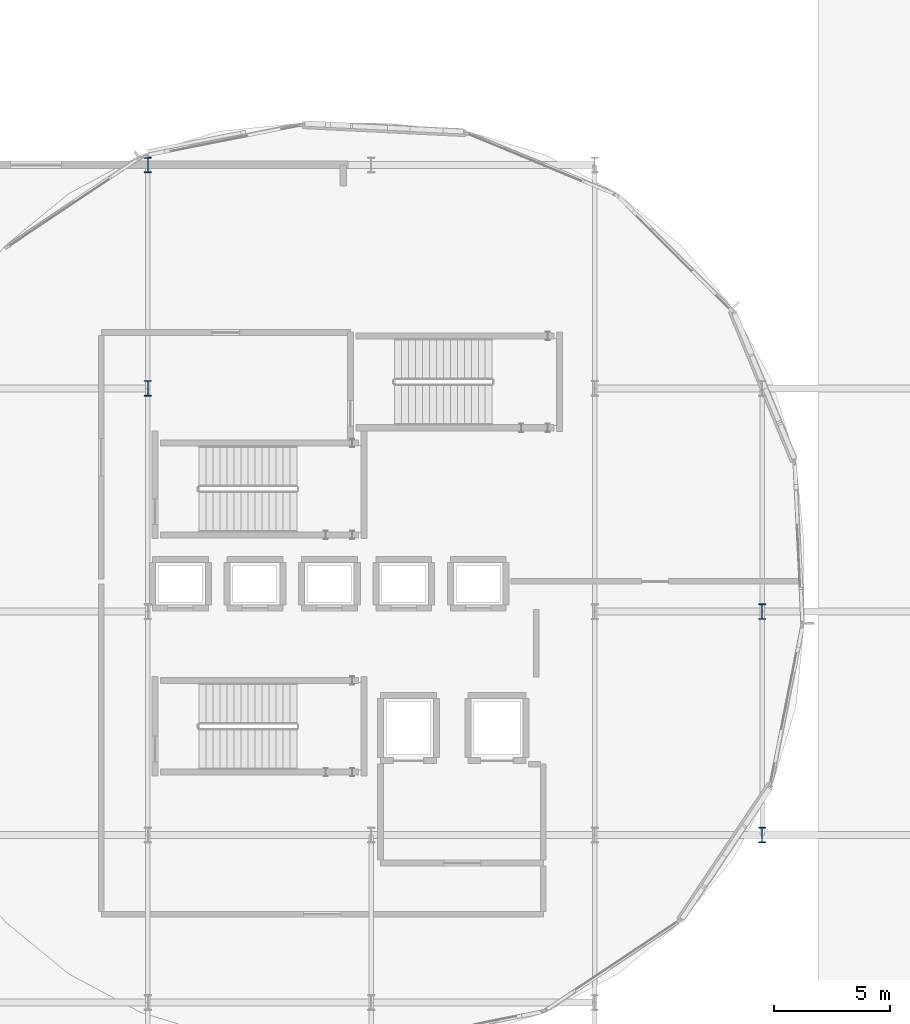
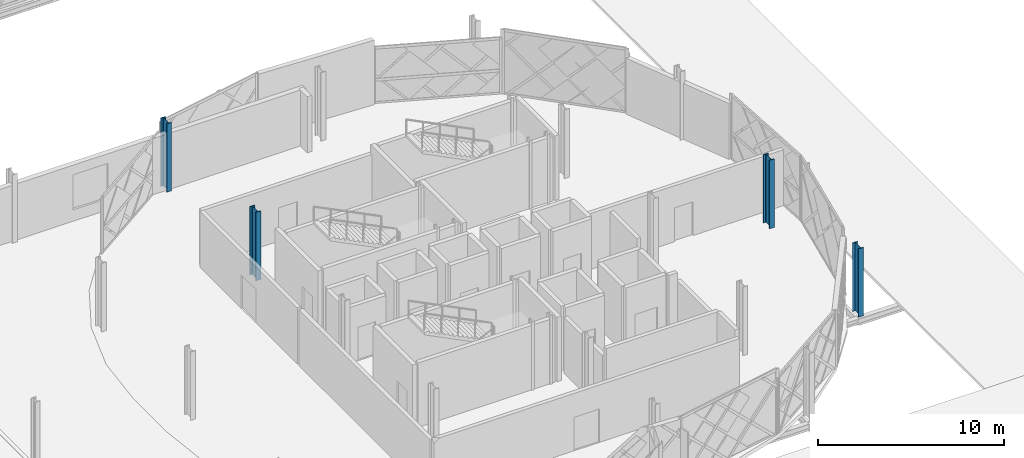
# One storey, part 18 of 101: 4 columns.
"""IFC4 building model written with IfcOpenShell, lengths in metres."""

import ifcopenshell
import ifcopenshell.guid

model = None  # the IFC model being written
_history = None  # IfcOwnerHistory: only IFC2X3 demands one
_inside = {}  # id of a spatial element -> (the spatial element, [elements in it])
_under = {}  # id of a project, library or spatial element -> (it, [spatial elements below it])
_declared = {}  # id of a project -> (the project, [libraries it declares])
_typed = {}  # id of a type object -> (the type object, [elements of that type])
_made_of = {}  # id of a material, layer set ... -> (it, [elements and type objects made of it])


def new_model(schema):
    """Start an empty IFC model of exactly this schema.

    Asked for "IFC4X3", IfcOpenShell would pick the latest addendum, in which some entities
    have other attributes; the version numbers below select the first issue.
    IFC2X3 requires an IfcOwnerHistory on every rooted entity: one is made here for all.
    """
    global model, _history
    if schema == "IFC4X3":
        model = ifcopenshell.file(schema_version=(4, 3, 0, 0))
    else:
        model = ifcopenshell.file(schema=schema)
    _inside.clear()
    _under.clear()
    _declared.clear()
    _typed.clear()
    _made_of.clear()
    _history = None
    if model.schema == "IFC2X3":
        org = make("IfcOrganization", Name="unknown")
        user = make(
            "IfcPersonAndOrganization",
            ThePerson=make("IfcPerson", FamilyName="unknown"),
            TheOrganization=org,
        )
        app = make(
            "IfcApplication",
            ApplicationDeveloper=org,
            Version="unknown",
            ApplicationFullName="unknown",
            ApplicationIdentifier="unknown",
        )
        _history = make(
            "IfcOwnerHistory",
            OwningUser=user,
            OwningApplication=app,
            ChangeAction="ADDED",
            CreationDate=0,
        )
    return model


def make(cls, **values):
    """One entity of the class cls with the attributes given. An attribute that is None is left unset."""
    return model.create_entity(
        cls, **{name: value for name, value in values.items() if value is not None}
    )


def rooted(cls, **values):
    """An entity with a GlobalId (a new one), such as an element, a storey or a relation."""
    return make(cls, GlobalId=ifcopenshell.guid.new(), OwnerHistory=_history, **values)


def si_unit(unit_type, name, prefix=None):
    """IfcSIUnit, for example si_unit("LENGTHUNIT", "METRE", prefix="MILLI")."""
    return make("IfcSIUnit", UnitType=unit_type, Prefix=prefix, Name=name)


def assignment(units):
    """IfcUnitAssignment: the units of a project."""
    return None if units is None else make("IfcUnitAssignment", Units=units)


def point(xyz):
    """IfcCartesianPoint."""
    return None if xyz is None else make("IfcCartesianPoint", Coordinates=xyz)


def direction(xyz):
    """IfcDirection."""
    return None if xyz is None else make("IfcDirection", DirectionRatios=xyz)


def frame(location, z_axis=None, x_axis=None):
    """IfcAxis2Placement3D, a coordinate frame: its origin and axes. An axis left out is left unset."""
    return make(
        "IfcAxis2Placement3D",
        Location=point(location),
        Axis=direction(z_axis),
        RefDirection=direction(x_axis),
    )


def frame_2d(location, x_axis=None):
    """IfcAxis2Placement2D, a coordinate frame in the plane: its origin and x axis."""
    return make(
        "IfcAxis2Placement2D", Location=point(location), RefDirection=direction(x_axis)
    )


def origin():
    """The frame at (0, 0, 0) with its axes left unset."""
    return frame((0.0, 0.0, 0.0))


def origin_2d():
    """The frame at (0, 0) in the plane with its x axis left unset."""
    return frame_2d((0.0, 0.0))


def place(relative_to, where):
    """IfcLocalPlacement: puts the frame where relative to a parent placement (None: the world)."""
    return make(
        "IfcLocalPlacement", PlacementRelTo=relative_to, RelativePlacement=where
    )


def context(
    kind, dimensions, precision=None, world=None, true_north=None, identifier=None
):
    """IfcGeometricRepresentationContext, for example the 3D "Model" context."""
    return make(
        "IfcGeometricRepresentationContext",
        ContextIdentifier=identifier,
        ContextType=kind,
        CoordinateSpaceDimension=dimensions,
        Precision=precision,
        WorldCoordinateSystem=world,
        TrueNorth=true_north,
    )


def subcontext(parent, identifier, kind, view, scale=None):
    """IfcGeometricRepresentationSubContext, for example "Body" below "Model"."""
    return make(
        "IfcGeometricRepresentationSubContext",
        ContextIdentifier=identifier,
        ContextType=kind,
        ParentContext=parent,
        TargetScale=scale,
        TargetView=view,
    )


def project(units=None, contexts=None):
    """IfcProject with its units and contexts."""
    return rooted(
        "IfcProject",
        Name="project",
        RepresentationContexts=contexts,
        UnitsInContext=assignment(units),
    )


def spatial(cls, under=None, at=None, **own):
    """A site, building, storey or space (cls), placed at a placement, below another one or the project."""
    s = rooted(cls, ObjectPlacement=at, **own)
    if under is not None:
        _under.setdefault(under.id(), (under, []))[1].append(s)
    return s


def profile(cls, at=None, kind="AREA", **sizes):
    """A parametric profile (cls). Its sizes go by their IFC names, for example OverallWidth=200.0."""
    return make(cls, ProfileType=kind, Position=at, **sizes)


def i_section(**sizes):
    """IfcIShapeProfileDef."""
    return profile("IfcIShapeProfileDef", **sizes)


def extrude(swept, where, along, depth):
    """IfcExtrudedAreaSolid: the profile swept, set in the frame where, extruded along a direction by depth."""
    return make(
        "IfcExtrudedAreaSolid",
        SweptArea=swept,
        Position=where,
        ExtrudedDirection=direction(along),
        Depth=depth,
    )


def shape(context_of_items, identifier, shape_type, items):
    """IfcShapeRepresentation: the items that make up one representation, for example the "Body"."""
    return make(
        "IfcShapeRepresentation",
        ContextOfItems=context_of_items,
        RepresentationIdentifier=identifier,
        RepresentationType=shape_type,
        Items=items,
    )


def material(Name=None, Category=None):
    """IfcMaterial."""
    return make("IfcMaterial", Name=Name, Category=Category)


def material_profile(
    of_material, cross_section, Name=None, Category=None, Priority=None
):
    """IfcMaterialProfile: a cross section and its material."""
    return make(
        "IfcMaterialProfile",
        Name=Name,
        Material=of_material,
        Profile=cross_section,
        Priority=Priority,
        Category=Category,
    )


def profile_set(profiles, Name=None, composite=None):
    """IfcMaterialProfileSet."""
    return make(
        "IfcMaterialProfileSet",
        Name=Name,
        MaterialProfiles=profiles,
        CompositeProfile=composite,
    )


def made_of(thing, what):
    """Note that an element or type object is made of a material, layer set ...; save() writes the relation."""
    if what is not None:
        _made_of.setdefault(what.id(), (what, []))[1].append(thing)
    return thing


def type_object(cls, material=None, **own):
    """A type object (cls), such as IfcWallType, which elements share."""
    return made_of(rooted(cls, **own), material)


def element(
    cls,
    number,
    at=None,
    inside=None,
    cuts=None,
    type_object=None,
    material=None,
    context=None,
    identifier="Body",
    shape_type=None,
    held_by="IfcProductDefinitionShape",
    body=None,
    shapes=None,
    **own,
):
    """One element of the class cls, such as IfcWall. Its Tag is "e" and its number.

    at: its placement. inside: the storey or other place that contains it. cuts: it is an
    opening in that element (IfcRelVoidsElement). A single representation is given by context,
    identifier, shape_type and body (its items); several are given by shapes. held_by: the class
    of the entity that holds the representations. save() writes the other relations.
    """
    e = rooted(cls, Tag="e%d" % number, ObjectPlacement=at, **own)
    if body is not None:
        shapes = [shape(context, identifier, shape_type, body)]
    if shapes is not None:
        e.Representation = make(held_by, Representations=shapes)
    if inside is not None:
        _inside.setdefault(inside.id(), (inside, []))[1].append(e)
    if cuts is not None:
        rooted(
            "IfcRelVoidsElement", RelatingBuildingElement=cuts, RelatedOpeningElement=e
        )
    if type_object is not None:
        _typed.setdefault(type_object.id(), (type_object, []))[1].append(e)
    return made_of(e, material)


def aggregate(whole, parts):
    """IfcRelAggregates: a whole, such as a stair, and the parts it consists of."""
    return rooted("IfcRelAggregates", RelatingObject=whole, RelatedObjects=parts)


def save(model, path):
    """Write the relations noted so far, then the file.

    IfcRelAggregates (storeys below a building ...), IfcRelContainedInSpatialStructure (elements
    in a storey), IfcRelDefinesByType, IfcRelAssociatesMaterial and IfcRelDeclares: one each for
    every whole, place, type object, material and project.
    """
    for whole, parts in _under.values():
        aggregate(whole, parts)
    for where, things in _inside.values():
        rooted(
            "IfcRelContainedInSpatialStructure",
            RelatedElements=things,
            RelatingStructure=where,
        )
    for kind, things in _typed.values():
        rooted("IfcRelDefinesByType", RelatedObjects=things, RelatingType=kind)
    for what, things in _made_of.values():
        rooted("IfcRelAssociatesMaterial", RelatedObjects=things, RelatingMaterial=what)
    for by, libraries in _declared.values():
        rooted("IfcRelDeclares", RelatingContext=by, RelatedDefinitions=libraries)
    model.write(path)


model = new_model("IFC4")

# Units and contexts
model_context = context("Model", 3, precision=1e-05, world=origin(), true_north=direction((0.0, 1.0)))
body_context = subcontext(model_context, "Body", "Model", "MODEL_VIEW")
ifc_project = project(units=[si_unit("LENGTHUNIT", "METRE"), si_unit("AREAUNIT", "SQUARE_METRE"), si_unit("VOLUMEUNIT", "CUBIC_METRE"), si_unit("PLANEANGLEUNIT", "RADIAN"), si_unit("MASSUNIT", "GRAM", prefix="KILO")], contexts=[model_context])

# Site, building, storey
site_placement = place(None, origin())
site = spatial("IfcSite", under=ifc_project, at=site_placement, CompositionType="ELEMENT")
building_placement = place(site_placement, origin())
building = spatial("IfcBuilding", under=site, at=building_placement, Name="Zevrakil Square Congress Hotel", CompositionType="ELEMENT")
storey_placement = place(building_placement, frame((0.0, 0.0, 5.39990234375)))
storey = spatial("IfcBuildingStorey", under=building, at=storey_placement, Name="L02", CompositionType="ELEMENT", Elevation=5.39990234375)

# Columns
ifc_material = material(Name="Steel S355", Category="steel")
ifc_material_profile = material_profile(ifc_material, i_section(OverallWidth=0.304931640625, OverallDepth=0.66796875, WebThickness=0.02099609375, FlangeThickness=0.0400390625, FilletRadius=0.027099609375, at=origin_2d()), Name="HEM 650")
ifc_profile_set = profile_set([ifc_material_profile], Name="Steel S355")
column_type = type_object("IfcColumnType", Name="COL-HEM650", PredefinedType="COLUMN", material=ifc_profile_set)
for number, where, z_axis, x_axis, name in (
    (1, (136.800048828125, 36.0, 0.0), (0.0, 0.0, 1.0), (1.0, 0.0, 0.0), "L02 column C-208"),
    (2, (136.800048828125, 45.60009765625, 0.0), (0.0, 0.0, 1.0), (1.0, 0.0, 0.0), "L02 column C-209"),
    (3, (163.199951171875, 16.800048828125, 0.0), (0.0, 0.0, 1.0), (1.0, 0.0, 0.0), "L02 column C-230"),
    (4, (163.199951171875, 26.39990234375, 0.0), (0.0, 0.0, 1.0), (1.0, 0.0, 0.0), "L02 column C-231"),
):
    element("IfcColumn", number, at=place(storey_placement, frame(where, z_axis=z_axis, x_axis=x_axis)), inside=storey, type_object=column_type, Name=name, PredefinedType="COLUMN", context=body_context, shape_type="SweptSolid", body=[
        extrude(i_section(OverallWidth=0.304931640625, OverallDepth=0.66796875, WebThickness=0.02099609375, FlangeThickness=0.0400390625, FilletRadius=0.027099609375, at=origin_2d()), origin(), (0.0, 0.0, 1.0), 4.5),
    ])

save(model, "model.ifc")
